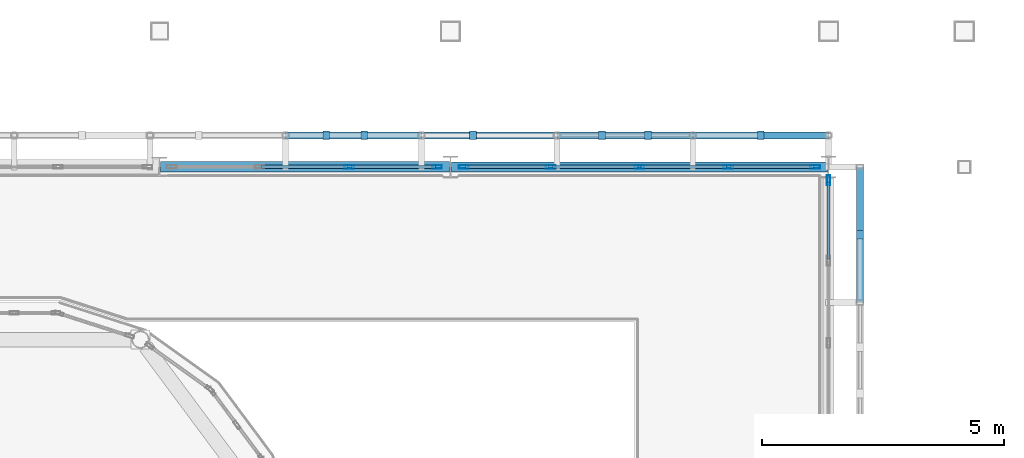
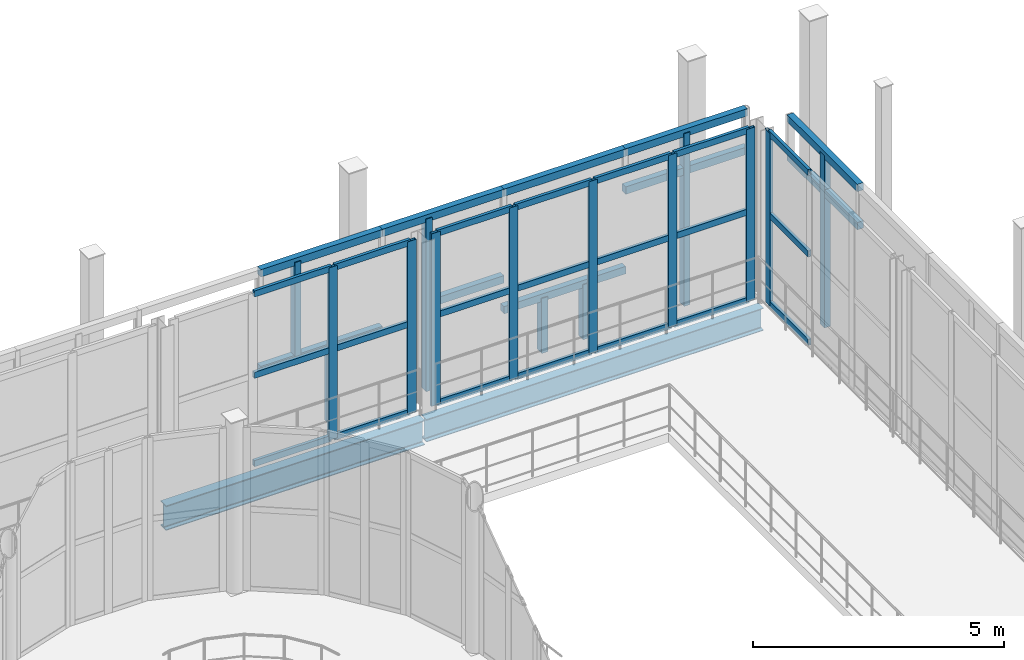
# One storey, part 48 of 138: 46 members, 2 beams, 3 elements without a shape of their own.
"""IFC4 building model written with IfcOpenShell, lengths in metres."""

from ifc_helpers import new_model, si_unit, direction, frame, origin, origin_2d, place, context, subcontext, project, spatial, rectangle, hollow_rectangle, i_section, extrude, material, layer, layer_set, material_profile, profile_set, type_object, element, aggregate, save


model = new_model("IFC4")

# Units and contexts
model_context = context("Model", 3, precision=1e-05, world=origin(), true_north=direction((0.0, 1.0)))
body_context = subcontext(model_context, "Body", "Model", "MODEL_VIEW")
ifc_project = project(units=[si_unit("LENGTHUNIT", "METRE"), si_unit("AREAUNIT", "SQUARE_METRE"), si_unit("VOLUMEUNIT", "CUBIC_METRE"), si_unit("PLANEANGLEUNIT", "RADIAN"), si_unit("MASSUNIT", "GRAM", prefix="KILO")], contexts=[model_context])

# Site, building, storey
site_placement = place(None, origin())
site = spatial("IfcSite", under=ifc_project, at=site_placement, CompositionType="ELEMENT")
building_placement = place(site_placement, origin())
building = spatial("IfcBuilding", under=site, at=building_placement, Name="Vinh Khe Railworks Police Headquarters", CompositionType="ELEMENT")
storey_placement = place(building_placement, frame((0.0, 0.0, 9.0)))
storey = spatial("IfcBuildingStorey", under=building, at=storey_placement, Name="L02", CompositionType="ELEMENT", Elevation=9.0)

# Members
ifc_material_1 = material(Name="Salvaged ironwood timber", Category="wood")
ifc_material_profile_1 = material_profile(ifc_material_1, rectangle(XDim=0.139892578125, YDim=0.179931640625, at=origin_2d()), Name="TIMBER 140x180")
ifc_profile_set_1 = profile_set([ifc_material_profile_1], Name="Salvaged ironwood timber")
member_type_1 = type_object("IfcMemberType", Name="MEM-QUILT-STILE", PredefinedType="CHORD", material=ifc_profile_set_1)
for number, where, z_axis, x_axis, name in (
    (1, (48.800048828125, 59.449951171875, 4.1201171875), (1.0, 0.0, 0.0), (0.0, 1.0, 0.0), "Salvaged Timber Quilt Transom N-L02-08-TOP"),
    (2, (48.800048828125, 59.449951171875, 1.763916015625), (1.0, 0.0, 0.0), (0.0, 1.0, 0.0), "Salvaged Timber Quilt Transom N-L02-08-M1"),
):
    element("IfcMember", number, at=place(storey_placement, frame(where, z_axis=z_axis, x_axis=x_axis)), inside=storey, type_object=member_type_1, Name=name, PredefinedType="CHORD", context=body_context, shape_type="SweptSolid", body=[
        extrude(rectangle(XDim=0.139892578125, YDim=0.179931640625, at=origin_2d()), origin(), (0.0, 0.0, 1.0), 2.800048828125),
    ])
member_1_placement = place(storey_placement, frame((50.424072265625, 59.449951171875, -0.080078125), z_axis=(0.0, 0.0, 1.0), x_axis=(1.0, 0.0, 0.0)))
element("IfcMember", 3, at=member_1_placement, inside=storey, type_object=member_type_1, Name="Salvaged Timber Quilt Stile N-L02-08-V1", PredefinedType="POST", context=body_context, shape_type="SweptSolid", body=[
    extrude(rectangle(XDim=0.139892578125, YDim=0.179931640625, at=origin_2d()), origin(), (0.0, 0.0, 1.0), 1.843994140625),
])
member_2_placement = place(storey_placement, frame((49.639892578125, 59.449951171875, 1.763916015625), z_axis=(0.0, 0.0, 1.0), x_axis=(1.0, 0.0, 0.0)))
element("IfcMember", 4, at=member_2_placement, inside=storey, type_object=member_type_1, Name="Salvaged Timber Quilt Stile N-L02-08-V2", PredefinedType="POST", context=body_context, shape_type="SweptSolid", body=[
    extrude(rectangle(XDim=0.139892578125, YDim=0.179931640625, at=origin_2d()), origin(), (0.0, 0.0, 1.0), 2.356201171875),
])
member_3_placement = place(storey_placement, frame((51.60009765625, 59.449951171875, 4.1201171875), z_axis=(1.0, 0.0, 0.0), x_axis=(0.0, 1.0, 0.0)))
element("IfcMember", 5, at=member_3_placement, inside=storey, type_object=member_type_1, Name="Salvaged Timber Quilt Transom N-L02-09-TOP", PredefinedType="CHORD", context=body_context, shape_type="SweptSolid", body=[
    extrude(rectangle(XDim=0.139892578125, YDim=0.179931640625, at=origin_2d()), origin(), (0.0, 0.0, 1.0), 2.7998046875),
])
member_4_placement = place(storey_placement, frame((52.6640625, 59.449951171875, -0.080078125), z_axis=(0.0, 0.0, 1.0), x_axis=(1.0, 0.0, 0.0)))
element("IfcMember", 6, at=member_4_placement, inside=storey, type_object=member_type_1, Name="Salvaged Timber Quilt Stile N-L02-09-V1", PredefinedType="POST", context=body_context, shape_type="SweptSolid", body=[
    extrude(rectangle(XDim=0.139892578125, YDim=0.179931640625, at=origin_2d()), origin(), (0.0, 0.0, 1.0), 4.2001953125),
])
member_5_placement = place(storey_placement, frame((52.6640625, 59.449951171875, 2.01611328125), z_axis=(1.0, 0.0, 0.0), x_axis=(0.0, 1.0, 0.0)))
element("IfcMember", 7, at=member_5_placement, inside=storey, type_object=member_type_1, Name="Salvaged Timber Quilt Transom N-L02-09-M1", PredefinedType="CHORD", context=body_context, shape_type="SweptSolid", body=[
    extrude(rectangle(XDim=0.139892578125, YDim=0.179931640625, at=origin_2d()), origin(), (0.0, 0.0, 1.0), 1.73583984375),
])
for number, where, z_axis, x_axis, name in (
    (8, (54.39990234375, 59.449951171875, 4.1201171875), (1.0, 0.0, 0.0), (0.0, 1.0, 0.0), "Salvaged Timber Quilt Transom N-L02-10-TOP"),
    (9, (54.39990234375, 59.449951171875, 1.260009765625), (1.0, 0.0, 0.0), (0.0, 1.0, 0.0), "Salvaged Timber Quilt Transom N-L02-10-M1"),
):
    element("IfcMember", number, at=place(storey_placement, frame(where, z_axis=z_axis, x_axis=x_axis)), inside=storey, type_object=member_type_1, Name=name, PredefinedType="CHORD", context=body_context, shape_type="SweptSolid", body=[
        extrude(rectangle(XDim=0.139892578125, YDim=0.179931640625, at=origin_2d()), origin(), (0.0, 0.0, 1.0), 2.800048828125),
    ])
for number, where, z_axis, x_axis, name in (
    (10, (55.323974609375, 59.449951171875, -0.080078125), (0.0, 0.0, 1.0), (1.0, 0.0, 0.0), "Salvaged Timber Quilt Stile N-L02-10-V1"),
    (11, (56.27587890625, 59.449951171875, -0.080078125), (0.0, 0.0, 1.0), (1.0, 0.0, 0.0), "Salvaged Timber Quilt Stile N-L02-10-V2"),
):
    element("IfcMember", number, at=place(storey_placement, frame(where, z_axis=z_axis, x_axis=x_axis)), inside=storey, type_object=member_type_1, Name=name, PredefinedType="POST", context=body_context, shape_type="SweptSolid", body=[
        extrude(rectangle(XDim=0.139892578125, YDim=0.179931640625, at=origin_2d()), origin(), (0.0, 0.0, 1.0), 1.340087890625),
    ])
for number, where, z_axis, x_axis, name in (
    (12, (57.199951171875, 59.449951171875, 4.1201171875), (1.0, 0.0, 0.0), (0.0, 1.0, 0.0), "Salvaged Timber Quilt Transom N-L02-11-TOP"),
    (13, (57.199951171875, 59.449951171875, 3.19189453125), (1.0, 0.0, 0.0), (0.0, 1.0, 0.0), "Salvaged Timber Quilt Transom N-L02-11-M1"),
):
    element("IfcMember", number, at=place(storey_placement, frame(where, z_axis=z_axis, x_axis=x_axis)), inside=storey, type_object=member_type_1, Name=name, PredefinedType="CHORD", context=body_context, shape_type="SweptSolid", body=[
        extrude(rectangle(XDim=0.139892578125, YDim=0.179931640625, at=origin_2d()), origin(), (0.0, 0.0, 1.0), 2.800048828125),
    ])
member_6_placement = place(storey_placement, frame((58.60009765625, 59.449951171875, -0.080078125), z_axis=(0.0, 0.0, 1.0), x_axis=(1.0, 0.0, 0.0)))
element("IfcMember", 14, at=member_6_placement, inside=storey, type_object=member_type_1, Name="Salvaged Timber Quilt Stile N-L02-11-V1", PredefinedType="POST", context=body_context, shape_type="SweptSolid", body=[
    extrude(rectangle(XDim=0.139892578125, YDim=0.179931640625, at=origin_2d()), origin(), (0.0, 0.0, 1.0), 4.2001953125),
])
for number, where, z_axis, x_axis, name in (
    (15, (60.64990234375, 56.0, 4.1201171875), (0.0, 1.0, 0.0), (-1.0, 0.0, 0.0), "Salvaged Timber Quilt Transom E-L02-11-TOP"),
    (16, (60.64990234375, 56.0, 3.19189453125), (0.0, 1.0, 0.0), (-1.0, 0.0, 0.0), "Salvaged Timber Quilt Transom E-L02-11-M1"),
):
    element("IfcMember", number, at=place(storey_placement, frame(where, z_axis=z_axis, x_axis=x_axis)), inside=storey, type_object=member_type_1, Name=name, PredefinedType="CHORD", context=body_context, shape_type="SweptSolid", body=[
        extrude(rectangle(XDim=0.139892578125, YDim=0.179931640625, at=origin_2d()), origin(), (0.0, 0.0, 1.0), 2.800048828125),
    ])
member_7_placement = place(storey_placement, frame((60.64990234375, 57.39990234375, -0.080078125), z_axis=(0.0, 0.0, 1.0), x_axis=(1.0, 0.0, 0.0)))
element("IfcMember", 17, at=member_7_placement, inside=storey, type_object=member_type_1, Name="Salvaged Timber Quilt Stile E-L02-11-V1", PredefinedType="POST", context=body_context, shape_type="SweptSolid", body=[
    extrude(rectangle(XDim=0.139892578125, YDim=0.179931640625, at=origin_2d()), origin(), (0.0, 0.0, 1.0), 4.2001953125),
])

# Curtain wall, members
ifc_material_2 = material(Name="Anodised aluminium and low-iron glass", Category="aluminium")
ifc_layer = layer(ifc_material_2, 0.179931640625)
ifc_layer_set = layer_set([ifc_layer], Name="Anodised aluminium and low-iron glass")
curtain_wall_type = type_object("IfcCurtainWallType", Name="CW-CUBE-UNIT", PredefinedType="USERDEFINED", material=ifc_layer_set)
curtain_wall_1_placement = place(storey_placement, origin())
curtain_wall_1 = element("IfcCurtainWall", 18, at=curtain_wall_1_placement, inside=storey, type_object=curtain_wall_type, Name="Entrance Hall Curtain Wall L02 N-4", ObjectType="UNITISED GLAZING", PredefinedType="USERDEFINED")
ifc_material_3 = material(Name="Anodised aluminium 6063-T6", Category="aluminium")
ifc_material_profile_2 = material_profile(ifc_material_3, hollow_rectangle(XDim=0.070068359375, YDim=0.199951171875, WallThickness=0.0048828125, at=origin_2d()), Name="CW-M 70x200x5")
ifc_profile_set_2 = profile_set([ifc_material_profile_2], Name="Anodised aluminium 6063-T6")
member_type_2 = type_object("IfcMemberType", Name="MULL-CWM-03", PredefinedType="MULLION", material=ifc_profile_set_2)
member_8_placement = place(storey_placement, frame((50.111572265625, 58.800048828125, 0.0), z_axis=(0.0, 0.0, 1.0), x_axis=(0.0, 1.0, 0.0)))
member_8 = element("IfcMember", 19, at=member_8_placement, type_object=member_type_2, Name="CW-01 mullion 3", PredefinedType="MULLION", context=body_context, shape_type="SweptSolid", body=[
    extrude(hollow_rectangle(XDim=0.070068359375, YDim=0.199951171875, WallThickness=0.0048828125, at=origin_2d()), origin(), (0.0, 0.0, 1.0), 4.199951171875),
])
member_9_placement = place(storey_placement, frame((51.925048828125, 58.800048828125, 0.0), z_axis=(0.0, 0.0, 1.0), x_axis=(0.0, 1.0, 0.0)))
member_9 = element("IfcMember", 20, at=member_9_placement, type_object=member_type_2, Name="CW-01 mullion 4", PredefinedType="MULLION", context=body_context, shape_type="SweptSolid", body=[
    extrude(hollow_rectangle(XDim=0.070068359375, YDim=0.199951171875, WallThickness=0.0048828125, at=origin_2d()), origin(), (0.0, 0.0, 1.0), 4.199951171875),
])

curtain_wall_2_placement = place(storey_placement, origin())
curtain_wall_2 = element("IfcCurtainWall", 21, at=curtain_wall_2_placement, inside=storey, type_object=curtain_wall_type, Name="Entrance Hall Curtain Wall L02 N-5", ObjectType="UNITISED GLAZING", PredefinedType="USERDEFINED")
member_10_placement = place(storey_placement, frame((52.47509765625, 58.800048828125, 0.0), z_axis=(0.0, 0.0, 1.0), x_axis=(0.0, 1.0, 0.0)))
member_10 = element("IfcMember", 22, at=member_10_placement, type_object=member_type_2, Name="CW-01 mullion 1", PredefinedType="MULLION", context=body_context, shape_type="SweptSolid", body=[
    extrude(hollow_rectangle(XDim=0.070068359375, YDim=0.199951171875, WallThickness=0.0048828125, at=origin_2d()), origin(), (0.0, 0.0, 1.0), 4.199951171875),
])
member_11_placement = place(storey_placement, frame((54.27001953125, 58.800048828125, 0.0), z_axis=(0.0, 0.0, 1.0), x_axis=(0.0, 1.0, 0.0)))
member_11 = element("IfcMember", 23, at=member_11_placement, type_object=member_type_2, Name="CW-01 mullion 2", PredefinedType="MULLION", context=body_context, shape_type="SweptSolid", body=[
    extrude(hollow_rectangle(XDim=0.070068359375, YDim=0.199951171875, WallThickness=0.0048828125, at=origin_2d()), origin(), (0.0, 0.0, 1.0), 4.199951171875),
])
member_12_placement = place(storey_placement, frame((56.10009765625, 58.800048828125, 0.0), z_axis=(0.0, 0.0, 1.0), x_axis=(0.0, 1.0, 0.0)))
member_12 = element("IfcMember", 24, at=member_12_placement, type_object=member_type_2, Name="CW-01 mullion 3", PredefinedType="MULLION", context=body_context, shape_type="SweptSolid", body=[
    extrude(hollow_rectangle(XDim=0.070068359375, YDim=0.199951171875, WallThickness=0.0048828125, at=origin_2d()), origin(), (0.0, 0.0, 1.0), 4.199951171875),
])
member_13_placement = place(storey_placement, frame((57.929931640625, 58.800048828125, 0.0), z_axis=(0.0, 0.0, 1.0), x_axis=(0.0, 1.0, 0.0)))
member_13 = element("IfcMember", 25, at=member_13_placement, type_object=member_type_2, Name="CW-01 mullion 4", PredefinedType="MULLION", context=body_context, shape_type="SweptSolid", body=[
    extrude(hollow_rectangle(XDim=0.070068359375, YDim=0.199951171875, WallThickness=0.0048828125, at=origin_2d()), origin(), (0.0, 0.0, 1.0), 4.199951171875),
])
member_14_placement = place(storey_placement, frame((59.72509765625, 58.800048828125, 0.0), z_axis=(0.0, 0.0, 1.0), x_axis=(0.0, 1.0, 0.0)))
member_14 = element("IfcMember", 26, at=member_14_placement, type_object=member_type_2, Name="CW-01 mullion 5", PredefinedType="MULLION", context=body_context, shape_type="SweptSolid", body=[
    extrude(hollow_rectangle(XDim=0.070068359375, YDim=0.199951171875, WallThickness=0.0048828125, at=origin_2d()), origin(), (0.0, 0.0, 1.0), 4.199951171875),
])

# Curtain wall, member
curtain_wall_3_placement = place(storey_placement, origin())
curtain_wall_3 = element("IfcCurtainWall", 27, at=curtain_wall_3_placement, inside=storey, type_object=curtain_wall_type, Name="Entrance Hall Curtain Wall L02 E-6", ObjectType="UNITISED GLAZING", PredefinedType="USERDEFINED")
member_15_placement = place(storey_placement, frame((60.0, 58.52490234375, 0.0), z_axis=(0.0, 0.0, 1.0), x_axis=(-1.0, 0.0, 0.0)))
member_15 = element("IfcMember", 28, at=member_15_placement, type_object=member_type_2, Name="CW-01 mullion 4", PredefinedType="MULLION", context=body_context, shape_type="SweptSolid", body=[
    extrude(hollow_rectangle(XDim=0.070068359375, YDim=0.199951171875, WallThickness=0.0048828125, at=origin_2d()), origin(), (0.0, 0.0, 1.0), 4.199951171875),
])

# Beams
ifc_material_4 = material(Name="Steel S355JR", Category="steel")
ifc_material_profile_3 = material_profile(ifc_material_4, i_section(OverallWidth=0.2099609375, OverallDepth=0.550048828125, WebThickness=0.010986328125, FlangeThickness=0.01708984375, FilletRadius=0.02392578125, at=origin_2d()), Name="IPE 550")
ifc_profile_set_3 = profile_set([ifc_material_profile_3], Name="Steel S355JR")
beam_type_1 = type_object("IfcBeamType", Name="Steel Girder IPE 550", PredefinedType="BEAM", material=ifc_profile_set_3)
beam_1_placement = place(storey_placement, frame((52.219970703125, 58.800048828125, -0.4951171875), z_axis=(1.0, 0.0, 0.0), x_axis=(0.0, 1.0, 0.0)))
element("IfcBeam", 29, at=beam_1_placement, inside=storey, type_object=beam_type_1, Name="Girder BM-L02-EW-SB-18-0790", PredefinedType="BEAM", context=body_context, shape_type="SweptSolid", body=[
    extrude(i_section(OverallWidth=0.2099609375, OverallDepth=0.550048828125, WebThickness=0.010986328125, FlangeThickness=0.01708984375, FilletRadius=0.02392578125, at=origin_2d()), origin(), (0.0, 0.0, 1.0), 7.760009765625),
])
ifc_material_profile_4 = material_profile(ifc_material_4, i_section(OverallWidth=0.219970703125, OverallDepth=0.60009765625, WebThickness=0.011962890625, FlangeThickness=0.01904296875, FilletRadius=0.02392578125, at=origin_2d()), Name="IPE 600")
ifc_profile_set_4 = profile_set([ifc_material_profile_4], Name="Steel S355JR")
beam_type_2 = type_object("IfcBeamType", Name="Steel Girder IPE 600", PredefinedType="BEAM", material=ifc_profile_set_4)
beam_2_placement = place(storey_placement, frame((46.219970703125, 58.800048828125, -0.52001953125), z_axis=(1.0, 0.0, 0.0), x_axis=(0.0, 1.0, 0.0)))
element("IfcBeam", 30, at=beam_2_placement, inside=storey, type_object=beam_type_2, Name="Girder BM-L02-EW-SB-17-0789", PredefinedType="BEAM", context=body_context, shape_type="SweptSolid", body=[
    extrude(i_section(OverallWidth=0.219970703125, OverallDepth=0.60009765625, WebThickness=0.011962890625, FlangeThickness=0.01904296875, FilletRadius=0.02392578125, at=origin_2d()), origin(), (0.0, 0.0, 1.0), 5.9599609375),
])

# Member
ifc_material_profile_5 = material_profile(ifc_material_3, hollow_rectangle(XDim=0.070068359375, YDim=0.14990234375, WallThickness=0.0048828125, at=origin_2d()), Name="CW-T 70x150x5")
ifc_profile_set_5 = profile_set([ifc_material_profile_5], Name="Anodised aluminium 6063-T6")
member_type_3 = type_object("IfcMemberType", Name="TRAN-CWT-03", PredefinedType="USERDEFINED", material=ifc_profile_set_5)
member_16_placement = place(storey_placement, frame((48.29833984375, 58.800048828125, 0.034912109375), z_axis=(1.0, 0.0, 0.0), x_axis=(0.0, 1.0, 0.0)))
member_16 = element("IfcMember", 31, at=member_16_placement, type_object=member_type_3, Name="CW-01 transom 2.1", ObjectType="TRANSOM", PredefinedType="USERDEFINED", context=body_context, shape_type="SweptSolid", body=[
    extrude(hollow_rectangle(XDim=0.070068359375, YDim=0.14990234375, WallThickness=0.0048828125, at=origin_2d()), origin(), (0.0, 0.0, 1.0), 1.7783203125),
])

member_17_placement = place(storey_placement, frame((48.29833984375, 58.800048828125, 2.18408203125), z_axis=(1.0, 0.0, 0.0), x_axis=(0.0, 1.0, 0.0)))
member_17 = element("IfcMember", 32, at=member_17_placement, type_object=member_type_3, Name="CW-01 transom 2.2", ObjectType="TRANSOM", PredefinedType="USERDEFINED", context=body_context, shape_type="SweptSolid", body=[
    extrude(hollow_rectangle(XDim=0.070068359375, YDim=0.14990234375, WallThickness=0.0048828125, at=origin_2d()), origin(), (0.0, 0.0, 1.0), 1.7783203125),
])

member_18_placement = place(storey_placement, frame((48.29833984375, 58.800048828125, 4.1650390625), z_axis=(1.0, 0.0, 0.0), x_axis=(0.0, 1.0, 0.0)))
member_18 = element("IfcMember", 33, at=member_18_placement, type_object=member_type_3, Name="CW-01 transom 2.3", ObjectType="TRANSOM", PredefinedType="USERDEFINED", context=body_context, shape_type="SweptSolid", body=[
    extrude(hollow_rectangle(XDim=0.070068359375, YDim=0.14990234375, WallThickness=0.0048828125, at=origin_2d()), origin(), (0.0, 0.0, 1.0), 1.7783203125),
])

member_19_placement = place(storey_placement, frame((50.146728515625, 58.800048828125, 0.034912109375), z_axis=(1.0, 0.0, 0.0), x_axis=(0.0, 1.0, 0.0)))
member_19 = element("IfcMember", 34, at=member_19_placement, type_object=member_type_3, Name="CW-01 transom 3.1", ObjectType="TRANSOM", PredefinedType="USERDEFINED", context=body_context, shape_type="SweptSolid", body=[
    extrude(hollow_rectangle(XDim=0.070068359375, YDim=0.14990234375, WallThickness=0.0048828125, at=origin_2d()), origin(), (0.0, 0.0, 1.0), 1.7431640625),
])

member_20_placement = place(storey_placement, frame((50.146728515625, 58.800048828125, 2.18408203125), z_axis=(1.0, 0.0, 0.0), x_axis=(0.0, 1.0, 0.0)))
member_20 = element("IfcMember", 35, at=member_20_placement, type_object=member_type_3, Name="CW-01 transom 3.2", ObjectType="TRANSOM", PredefinedType="USERDEFINED", context=body_context, shape_type="SweptSolid", body=[
    extrude(hollow_rectangle(XDim=0.070068359375, YDim=0.14990234375, WallThickness=0.0048828125, at=origin_2d()), origin(), (0.0, 0.0, 1.0), 1.7431640625),
])

member_21_placement = place(storey_placement, frame((50.146728515625, 58.800048828125, 4.1650390625), z_axis=(1.0, 0.0, 0.0), x_axis=(0.0, 1.0, 0.0)))
member_21 = element("IfcMember", 36, at=member_21_placement, type_object=member_type_3, Name="CW-01 transom 3.3", ObjectType="TRANSOM", PredefinedType="USERDEFINED", context=body_context, shape_type="SweptSolid", body=[
    extrude(hollow_rectangle(XDim=0.070068359375, YDim=0.14990234375, WallThickness=0.0048828125, at=origin_2d()), origin(), (0.0, 0.0, 1.0), 1.7431640625),
])

aggregate(curtain_wall_1, [member_8, member_9, member_16, member_17, member_18, member_19, member_20, member_21])

member_22_placement = place(storey_placement, frame((52.510009765625, 58.800048828125, 0.034912109375), z_axis=(1.0, 0.0, 0.0), x_axis=(0.0, 1.0, 0.0)))
member_22 = element("IfcMember", 37, at=member_22_placement, type_object=member_type_3, Name="CW-01 transom 1.1", ObjectType="TRANSOM", PredefinedType="USERDEFINED", context=body_context, shape_type="SweptSolid", body=[
    extrude(hollow_rectangle(XDim=0.070068359375, YDim=0.14990234375, WallThickness=0.0048828125, at=origin_2d()), origin(), (0.0, 0.0, 1.0), 1.72509765625),
])

member_23_placement = place(storey_placement, frame((52.510009765625, 58.800048828125, 2.18408203125), z_axis=(1.0, 0.0, 0.0), x_axis=(0.0, 1.0, 0.0)))
member_23 = element("IfcMember", 38, at=member_23_placement, type_object=member_type_3, Name="CW-01 transom 1.2", ObjectType="TRANSOM", PredefinedType="USERDEFINED", context=body_context, shape_type="SweptSolid", body=[
    extrude(hollow_rectangle(XDim=0.070068359375, YDim=0.14990234375, WallThickness=0.0048828125, at=origin_2d()), origin(), (0.0, 0.0, 1.0), 1.72509765625),
])

member_24_placement = place(storey_placement, frame((52.510009765625, 58.800048828125, 4.1650390625), z_axis=(1.0, 0.0, 0.0), x_axis=(0.0, 1.0, 0.0)))
member_24 = element("IfcMember", 39, at=member_24_placement, type_object=member_type_3, Name="CW-01 transom 1.3", ObjectType="TRANSOM", PredefinedType="USERDEFINED", context=body_context, shape_type="SweptSolid", body=[
    extrude(hollow_rectangle(XDim=0.070068359375, YDim=0.14990234375, WallThickness=0.0048828125, at=origin_2d()), origin(), (0.0, 0.0, 1.0), 1.72509765625),
])

member_25_placement = place(storey_placement, frame((54.304931640625, 58.800048828125, 0.034912109375), z_axis=(1.0, 0.0, 0.0), x_axis=(0.0, 1.0, 0.0)))
member_25 = element("IfcMember", 40, at=member_25_placement, type_object=member_type_3, Name="CW-01 transom 2.1", ObjectType="TRANSOM", PredefinedType="USERDEFINED", context=body_context, shape_type="SweptSolid", body=[
    extrude(hollow_rectangle(XDim=0.070068359375, YDim=0.14990234375, WallThickness=0.0048828125, at=origin_2d()), origin(), (0.0, 0.0, 1.0), 1.760009765625),
])

member_26_placement = place(storey_placement, frame((54.304931640625, 58.800048828125, 2.18408203125), z_axis=(1.0, 0.0, 0.0), x_axis=(0.0, 1.0, 0.0)))
member_26 = element("IfcMember", 41, at=member_26_placement, type_object=member_type_3, Name="CW-01 transom 2.2", ObjectType="TRANSOM", PredefinedType="USERDEFINED", context=body_context, shape_type="SweptSolid", body=[
    extrude(hollow_rectangle(XDim=0.070068359375, YDim=0.14990234375, WallThickness=0.0048828125, at=origin_2d()), origin(), (0.0, 0.0, 1.0), 1.760009765625),
])

member_27_placement = place(storey_placement, frame((54.304931640625, 58.800048828125, 4.1650390625), z_axis=(1.0, 0.0, 0.0), x_axis=(0.0, 1.0, 0.0)))
member_27 = element("IfcMember", 42, at=member_27_placement, type_object=member_type_3, Name="CW-01 transom 2.3", ObjectType="TRANSOM", PredefinedType="USERDEFINED", context=body_context, shape_type="SweptSolid", body=[
    extrude(hollow_rectangle(XDim=0.070068359375, YDim=0.14990234375, WallThickness=0.0048828125, at=origin_2d()), origin(), (0.0, 0.0, 1.0), 1.760009765625),
])

member_28_placement = place(storey_placement, frame((56.135009765625, 58.800048828125, 0.034912109375), z_axis=(1.0, 0.0, 0.0), x_axis=(0.0, 1.0, 0.0)))
member_28 = element("IfcMember", 43, at=member_28_placement, type_object=member_type_3, Name="CW-01 transom 3.1", ObjectType="TRANSOM", PredefinedType="USERDEFINED", context=body_context, shape_type="SweptSolid", body=[
    extrude(hollow_rectangle(XDim=0.070068359375, YDim=0.14990234375, WallThickness=0.0048828125, at=origin_2d()), origin(), (0.0, 0.0, 1.0), 1.760009765625),
])

member_29_placement = place(storey_placement, frame((56.135009765625, 58.800048828125, 2.18408203125), z_axis=(1.0, 0.0, 0.0), x_axis=(0.0, 1.0, 0.0)))
member_29 = element("IfcMember", 44, at=member_29_placement, type_object=member_type_3, Name="CW-01 transom 3.2", ObjectType="TRANSOM", PredefinedType="USERDEFINED", context=body_context, shape_type="SweptSolid", body=[
    extrude(hollow_rectangle(XDim=0.070068359375, YDim=0.14990234375, WallThickness=0.0048828125, at=origin_2d()), origin(), (0.0, 0.0, 1.0), 1.760009765625),
])

member_30_placement = place(storey_placement, frame((56.135009765625, 58.800048828125, 4.1650390625), z_axis=(1.0, 0.0, 0.0), x_axis=(0.0, 1.0, 0.0)))
member_30 = element("IfcMember", 45, at=member_30_placement, type_object=member_type_3, Name="CW-01 transom 3.3", ObjectType="TRANSOM", PredefinedType="USERDEFINED", context=body_context, shape_type="SweptSolid", body=[
    extrude(hollow_rectangle(XDim=0.070068359375, YDim=0.14990234375, WallThickness=0.0048828125, at=origin_2d()), origin(), (0.0, 0.0, 1.0), 1.760009765625),
])

member_31_placement = place(storey_placement, frame((57.965087890625, 58.800048828125, 0.034912109375), z_axis=(1.0, 0.0, 0.0), x_axis=(0.0, 1.0, 0.0)))
member_31 = element("IfcMember", 46, at=member_31_placement, type_object=member_type_3, Name="CW-01 transom 4.1", ObjectType="TRANSOM", PredefinedType="USERDEFINED", context=body_context, shape_type="SweptSolid", body=[
    extrude(hollow_rectangle(XDim=0.070068359375, YDim=0.14990234375, WallThickness=0.0048828125, at=origin_2d()), origin(), (0.0, 0.0, 1.0), 1.724853515625),
])

member_32_placement = place(storey_placement, frame((57.965087890625, 58.800048828125, 2.18408203125), z_axis=(1.0, 0.0, 0.0), x_axis=(0.0, 1.0, 0.0)))
member_32 = element("IfcMember", 47, at=member_32_placement, type_object=member_type_3, Name="CW-01 transom 4.2", ObjectType="TRANSOM", PredefinedType="USERDEFINED", context=body_context, shape_type="SweptSolid", body=[
    extrude(hollow_rectangle(XDim=0.070068359375, YDim=0.14990234375, WallThickness=0.0048828125, at=origin_2d()), origin(), (0.0, 0.0, 1.0), 1.724853515625),
])

member_33_placement = place(storey_placement, frame((57.965087890625, 58.800048828125, 4.1650390625), z_axis=(1.0, 0.0, 0.0), x_axis=(0.0, 1.0, 0.0)))
member_33 = element("IfcMember", 48, at=member_33_placement, type_object=member_type_3, Name="CW-01 transom 4.3", ObjectType="TRANSOM", PredefinedType="USERDEFINED", context=body_context, shape_type="SweptSolid", body=[
    extrude(hollow_rectangle(XDim=0.070068359375, YDim=0.14990234375, WallThickness=0.0048828125, at=origin_2d()), origin(), (0.0, 0.0, 1.0), 1.724853515625),
])

aggregate(curtain_wall_2, [member_10, member_11, member_12, member_13, member_14, member_22, member_23, member_24, member_25, member_26, member_27, member_28, member_29, member_30, member_31, member_32, member_33])

member_34_placement = place(storey_placement, frame((60.0, 56.896728515625, 0.034912109375), z_axis=(0.0, 1.0, 0.0), x_axis=(-1.0, 0.0, 0.0)))
member_34 = element("IfcMember", 49, at=member_34_placement, type_object=member_type_3, Name="CW-01 transom 3.1", ObjectType="TRANSOM", PredefinedType="USERDEFINED", context=body_context, shape_type="SweptSolid", body=[
    extrude(hollow_rectangle(XDim=0.070068359375, YDim=0.14990234375, WallThickness=0.0048828125, at=origin_2d()), origin(), (0.0, 0.0, 1.0), 1.59326171875),
])

member_35_placement = place(storey_placement, frame((60.0, 56.896728515625, 2.18408203125), z_axis=(0.0, 1.0, 0.0), x_axis=(-1.0, 0.0, 0.0)))
member_35 = element("IfcMember", 50, at=member_35_placement, type_object=member_type_3, Name="CW-01 transom 3.2", ObjectType="TRANSOM", PredefinedType="USERDEFINED", context=body_context, shape_type="SweptSolid", body=[
    extrude(hollow_rectangle(XDim=0.070068359375, YDim=0.14990234375, WallThickness=0.0048828125, at=origin_2d()), origin(), (0.0, 0.0, 1.0), 1.59326171875),
])

member_36_placement = place(storey_placement, frame((60.0, 56.896728515625, 4.1650390625), z_axis=(0.0, 1.0, 0.0), x_axis=(-1.0, 0.0, 0.0)))
member_36 = element("IfcMember", 51, at=member_36_placement, type_object=member_type_3, Name="CW-01 transom 3.3", ObjectType="TRANSOM", PredefinedType="USERDEFINED", context=body_context, shape_type="SweptSolid", body=[
    extrude(hollow_rectangle(XDim=0.070068359375, YDim=0.14990234375, WallThickness=0.0048828125, at=origin_2d()), origin(), (0.0, 0.0, 1.0), 1.59326171875),
])

aggregate(curtain_wall_3, [member_15, member_34, member_35, member_36])

save(model, "model.ifc")
